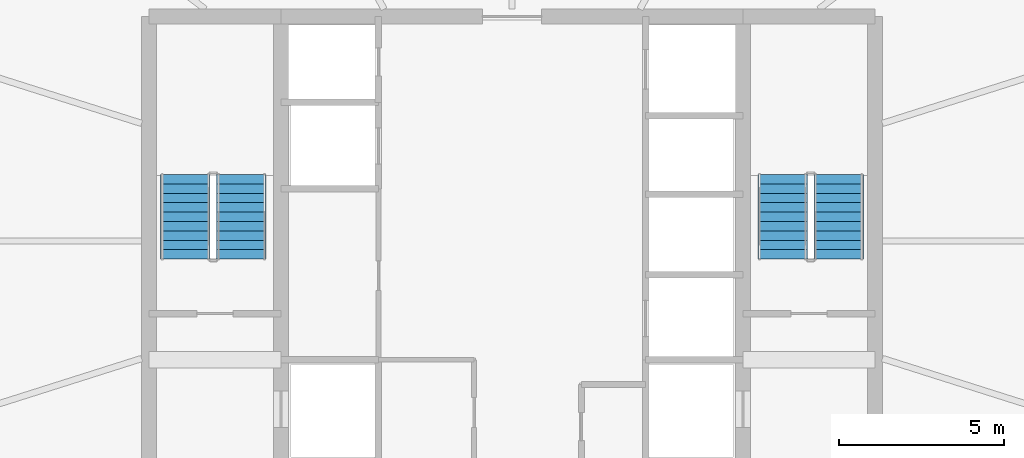
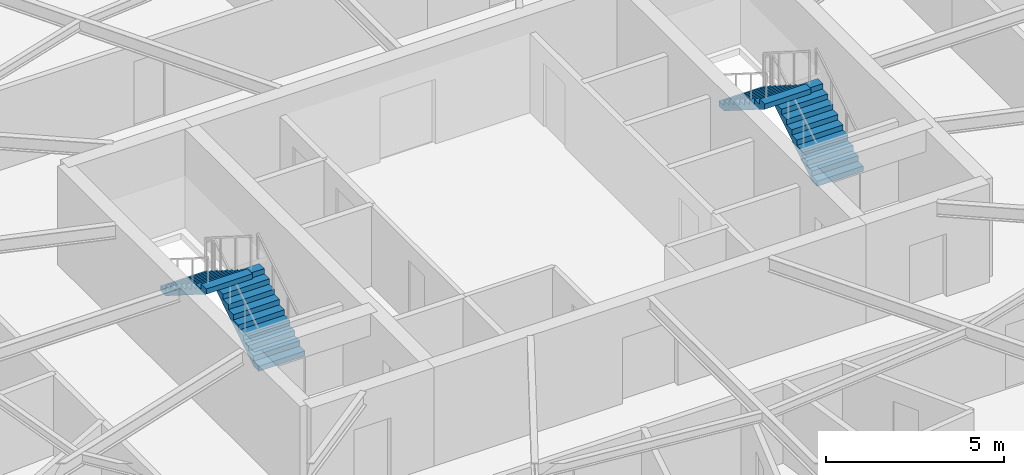
# One storey, part 27 of 30: 4 stair flights, 2 elements without a shape of their own.
"""IFC4 building model written with IfcOpenShell, lengths in metres."""

from ifc_helpers import new_model, si_unit, direction, frame, origin, place, context, subcontext, project, spatial, polyline, outline, extrude, material, type_object, element, aggregate, save


model = new_model("IFC4")

# Units and contexts
model_context = context("Model", 3, precision=1e-05, world=origin(), true_north=direction((0.0, 1.0)))
body_context = subcontext(model_context, "Body", "Model", "MODEL_VIEW")
ifc_project = project(units=[si_unit("LENGTHUNIT", "METRE"), si_unit("AREAUNIT", "SQUARE_METRE"), si_unit("VOLUMEUNIT", "CUBIC_METRE"), si_unit("PLANEANGLEUNIT", "RADIAN"), si_unit("MASSUNIT", "GRAM", prefix="KILO")], contexts=[model_context])

# Site, building, storey
site_placement = place(None, origin())
site = spatial("IfcSite", under=ifc_project, at=site_placement, CompositionType="ELEMENT")
building_placement = place(site_placement, origin())
building = spatial("IfcBuilding", under=site, at=building_placement, Name="Sarneth Arch Tower", CompositionType="ELEMENT")
storey_placement = place(building_placement, frame((0.0, 0.0, 161.39990234375)))
storey = spatial("IfcBuildingStorey", under=building, at=storey_placement, Name="L40", CompositionType="ELEMENT", Elevation=161.39990234375)

# Stair, stair flights
ifc_material_1 = material(Name="Concrete C50/60", Category="concrete")
stair_type = type_object("IfcStairType", Name="STAIR-CORE-RC", PredefinedType="HALF_TURN_STAIR", material=ifc_material_1)
stair_1_placement = place(storey_placement, origin())
stair_1 = element("IfcStair", 1, at=stair_1_placement, inside=storey, type_object=stair_type, Name="L40 Core Exit Stair 1", PredefinedType="HALF_TURN_STAIR")
ifc_material_2 = material(Name="Concrete C50/60", Category="concrete")
stair_flight_type = type_object("IfcStairFlightType", Name="FLIGHT-RC-1500", PredefinedType="STRAIGHT", material=ifc_material_2)
stair_flight_1_placement = place(storey_placement, frame((39.800048828125, 41.449951171875, 0.0), z_axis=(0.0, 0.0, 1.0), x_axis=(0.0, 1.0, 0.0)))
stair_flight_1 = element("IfcStairFlight", 2, at=stair_flight_1_placement, type_object=stair_flight_type, Name="ST-1 flight 1", NumberOfRisers=10, NumberOfTreads=9, PredefinedType="STRAIGHT", RiserHeight=0.18, TreadLength=0.285, context=body_context, shape_type="SweptSolid", body=[
    extrude(outline(polyline([(0.0, 0.0), (0.0, 0.179931640625), (0.284912109375, 0.179931640625), (0.284912109375, 0.360107421875), (0.570068359375, 0.360107421875), (0.570068359375, 0.5400390625), (0.85498046875, 0.5400390625), (0.85498046875, 0.719970703125), (1.139892578125, 0.719970703125), (1.139892578125, 0.89990234375), (1.425048828125, 0.89990234375), (1.425048828125, 1.080078125), (1.7099609375, 1.080078125), (1.7099609375, 1.260009765625), (1.9951171875, 1.260009765625), (1.9951171875, 1.43994140625), (2.280029296875, 1.43994140625), (2.280029296875, 1.6201171875), (2.56494140625, 1.6201171875), (2.56494140625, 1.800048828125), (2.56494140625, 1.442626953125), (0.28076171875, 0.0), (0.0, 0.0)])), frame((0.0, 0.75, 0.0), z_axis=(0.0, -1.0, 0.0), x_axis=(1.0, 0.0, 0.0)), (0.0, 0.0, 1.0), 1.5),
])
stair_flight_2_placement = place(storey_placement, frame((38.10009765625, 44.014892578125, 1.800048828125), z_axis=(0.0, 0.0, 1.0), x_axis=(0.0, -1.0, 0.0)))
stair_flight_2 = element("IfcStairFlight", 3, at=stair_flight_2_placement, type_object=stair_flight_type, Name="ST-1 flight 2", NumberOfRisers=10, NumberOfTreads=9, PredefinedType="STRAIGHT", RiserHeight=0.18, TreadLength=0.285, context=body_context, shape_type="SweptSolid", body=[
    extrude(outline(polyline([(0.0, 0.0), (0.0, 0.179931640625), (0.284912109375, 0.179931640625), (0.284912109375, 0.360107421875), (0.570068359375, 0.360107421875), (0.570068359375, 0.5400390625), (0.85498046875, 0.5400390625), (0.85498046875, 0.719970703125), (1.139892578125, 0.719970703125), (1.139892578125, 0.89990234375), (1.425048828125, 0.89990234375), (1.425048828125, 1.080078125), (1.7099609375, 1.080078125), (1.7099609375, 1.260009765625), (1.9951171875, 1.260009765625), (1.9951171875, 1.43994140625), (2.280029296875, 1.43994140625), (2.280029296875, 1.6201171875), (2.56494140625, 1.6201171875), (2.56494140625, 1.800048828125), (2.56494140625, 1.442626953125), (0.28076171875, 0.0), (0.0, 0.0)])), frame((0.0, 0.75, 0.0), z_axis=(0.0, -1.0, 0.0), x_axis=(1.0, 0.0, 0.0)), (0.0, 0.0, 1.0), 1.5),
])
aggregate(stair_1, [stair_flight_1, stair_flight_2])

stair_2_placement = place(storey_placement, origin())
stair_2 = element("IfcStair", 4, at=stair_2_placement, inside=storey, type_object=stair_type, Name="L40 Core Exit Stair 2", PredefinedType="HALF_TURN_STAIR")
stair_flight_3_placement = place(storey_placement, frame((57.89990234375, 41.449951171875, 0.0), z_axis=(0.0, 0.0, 1.0), x_axis=(0.0, 1.0, 0.0)))
stair_flight_3 = element("IfcStairFlight", 5, at=stair_flight_3_placement, type_object=stair_flight_type, Name="ST-2 flight 1", NumberOfRisers=10, NumberOfTreads=9, PredefinedType="STRAIGHT", RiserHeight=0.18, TreadLength=0.285, context=body_context, shape_type="SweptSolid", body=[
    extrude(outline(polyline([(0.0, 0.0), (0.0, 0.179931640625), (0.284912109375, 0.179931640625), (0.284912109375, 0.360107421875), (0.570068359375, 0.360107421875), (0.570068359375, 0.5400390625), (0.85498046875, 0.5400390625), (0.85498046875, 0.719970703125), (1.139892578125, 0.719970703125), (1.139892578125, 0.89990234375), (1.425048828125, 0.89990234375), (1.425048828125, 1.080078125), (1.7099609375, 1.080078125), (1.7099609375, 1.260009765625), (1.9951171875, 1.260009765625), (1.9951171875, 1.43994140625), (2.280029296875, 1.43994140625), (2.280029296875, 1.6201171875), (2.56494140625, 1.6201171875), (2.56494140625, 1.800048828125), (2.56494140625, 1.442626953125), (0.28076171875, 0.0), (0.0, 0.0)])), frame((0.0, 0.75, 0.0), z_axis=(0.0, -1.0, 0.0), x_axis=(1.0, 0.0, 0.0)), (0.0, 0.0, 1.0), 1.5),
])
stair_flight_4_placement = place(storey_placement, frame((56.199951171875, 44.014892578125, 1.800048828125), z_axis=(0.0, 0.0, 1.0), x_axis=(0.0, -1.0, 0.0)))
stair_flight_4 = element("IfcStairFlight", 6, at=stair_flight_4_placement, type_object=stair_flight_type, Name="ST-2 flight 2", NumberOfRisers=10, NumberOfTreads=9, PredefinedType="STRAIGHT", RiserHeight=0.18, TreadLength=0.285, context=body_context, shape_type="SweptSolid", body=[
    extrude(outline(polyline([(0.0, 0.0), (0.0, 0.179931640625), (0.284912109375, 0.179931640625), (0.284912109375, 0.360107421875), (0.570068359375, 0.360107421875), (0.570068359375, 0.5400390625), (0.85498046875, 0.5400390625), (0.85498046875, 0.719970703125), (1.139892578125, 0.719970703125), (1.139892578125, 0.89990234375), (1.425048828125, 0.89990234375), (1.425048828125, 1.080078125), (1.7099609375, 1.080078125), (1.7099609375, 1.260009765625), (1.9951171875, 1.260009765625), (1.9951171875, 1.43994140625), (2.280029296875, 1.43994140625), (2.280029296875, 1.6201171875), (2.56494140625, 1.6201171875), (2.56494140625, 1.800048828125), (2.56494140625, 1.442626953125), (0.28076171875, 0.0), (0.0, 0.0)])), frame((0.0, 0.75, 0.0), z_axis=(0.0, -1.0, 0.0), x_axis=(1.0, 0.0, 0.0)), (0.0, 0.0, 1.0), 1.5),
])
aggregate(stair_2, [stair_flight_3, stair_flight_4])

save(model, "model.ifc")
